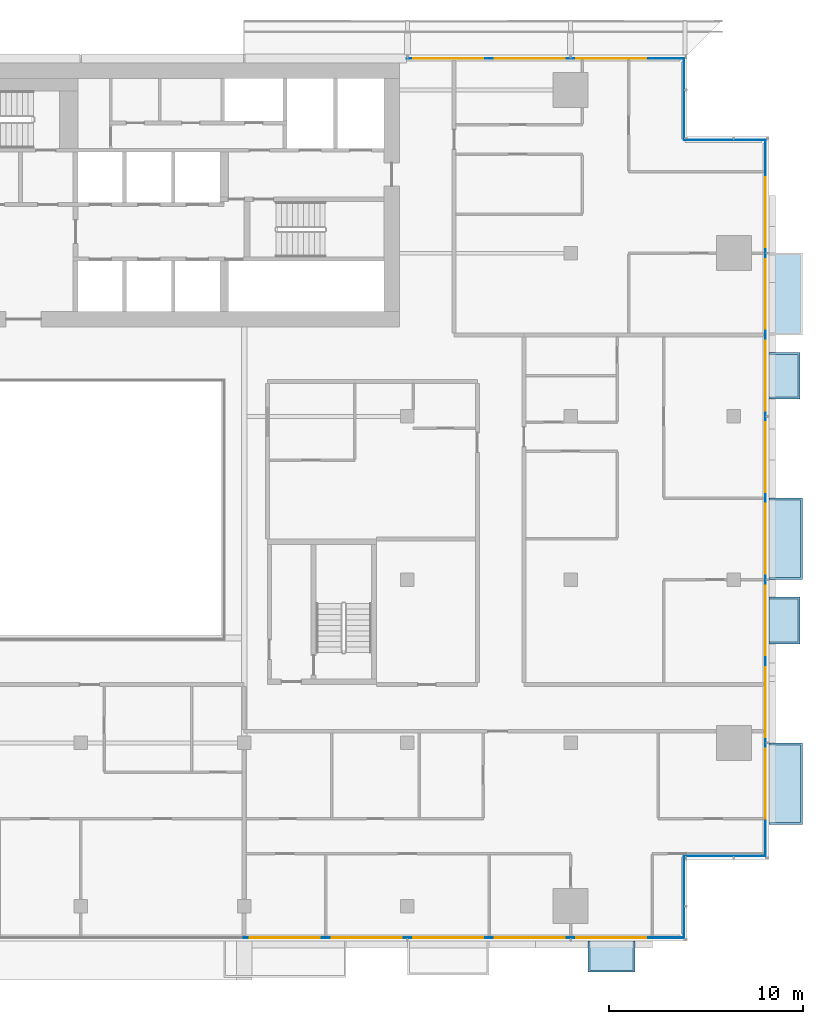
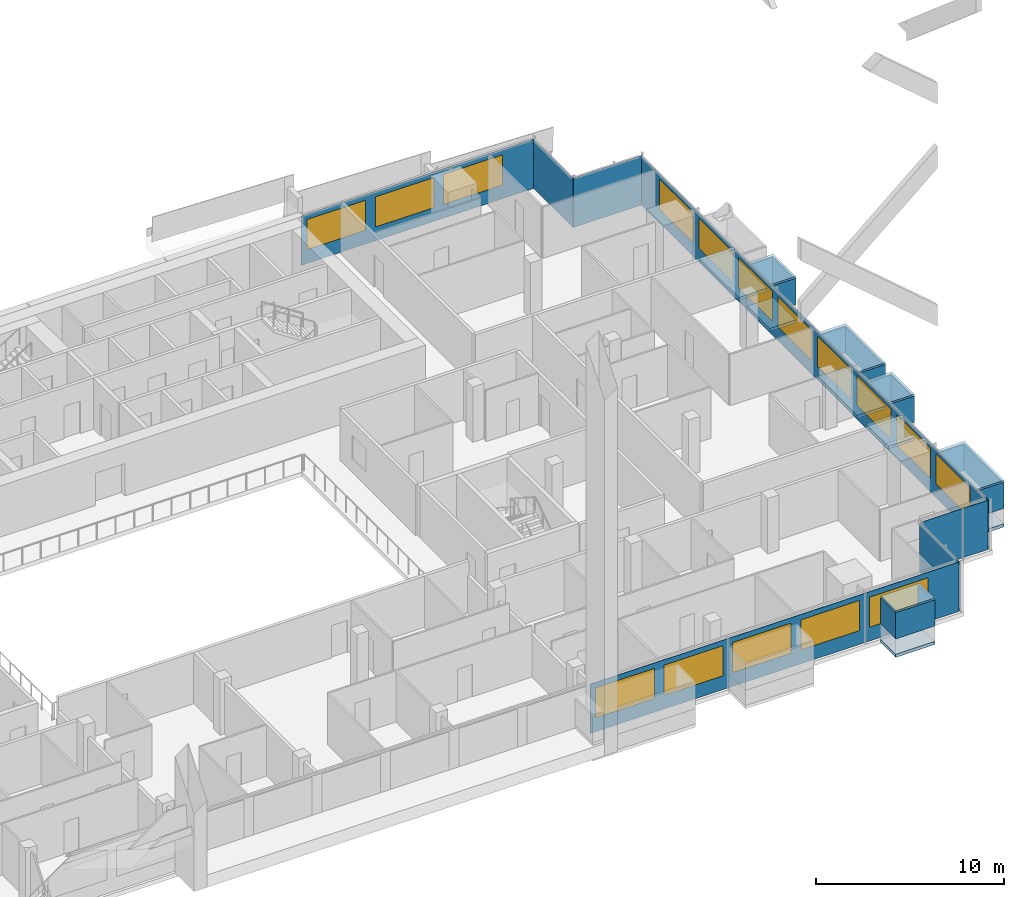
# One storey, part 16 of 31: 17 plates, 16 windows, 6 slabs, 16 openings, 7 elements without a shape of their own.
"""IFC4 building model written with IfcOpenShell, lengths in metres."""

from ifc_helpers import new_model, si_unit, direction, frame, frame_2d, origin, place, context, subcontext, project, spatial, polyline, rectangle, outline, extrude, material, layer, layer_set, type_object, element, fill, aggregate, save


model = new_model("IFC4")

# Units and contexts
model_context = context("Model", 3, precision=1e-05, world=origin(), true_north=direction((0.0, 1.0)))
body_context = subcontext(model_context, "Body", "Model", "MODEL_VIEW")
ifc_project = project(units=[si_unit("LENGTHUNIT", "METRE"), si_unit("AREAUNIT", "SQUARE_METRE"), si_unit("VOLUMEUNIT", "CUBIC_METRE"), si_unit("PLANEANGLEUNIT", "RADIAN"), si_unit("MASSUNIT", "GRAM", prefix="KILO")], contexts=[model_context])

# Site, building, storey
site_placement = place(None, origin())
site = spatial("IfcSite", under=ifc_project, at=site_placement, CompositionType="ELEMENT")
building_placement = place(site_placement, origin())
building = spatial("IfcBuilding", under=site, at=building_placement, Name="Saffron Gate Tower", CompositionType="ELEMENT")
storey_placement = place(building_placement, frame((0.0, 0.0, 147.449951171875)))
storey = spatial("IfcBuildingStorey", under=building, at=storey_placement, Name="L35", CompositionType="ELEMENT", Elevation=147.449951171875)

# Curtain wall, plate, openings, windows
ifc_material_1 = material(Name="Aluminium, bronze anodised", Category="aluminium")
curtain_wall_type_1 = type_object("IfcCurtainWallType", Name="CWS1 curtain wall front facade", PredefinedType="NOTDEFINED", material=ifc_material_1)
curtain_wall_1_placement = place(storey_placement, origin())
curtain_wall_1 = element("IfcCurtainWall", 1, at=curtain_wall_1_placement, inside=storey, type_object=curtain_wall_type_1, Name="CWS1 run 1", PredefinedType="NOTDEFINED")
ifc_material_2 = material(Name="Fritted bronze-tinted laminated glass", Category="glass")
ifc_layer_1 = layer(ifc_material_2, 0.028076171875)
ifc_layer_set_1 = layer_set([ifc_layer_1], Name="CWS1 fixed glass")
plate_type_1 = type_object("IfcPlateType", Name="CWS1 fixed glass", PredefinedType="CURTAIN_PANEL", material=ifc_layer_set_1)
plate_1_placement = place(storey_placement, frame((100.169921875, 30.174072265625, 0.0), z_axis=(0.0, 0.0, 1.0), x_axis=(1.0, 0.0, 0.0)))
plate_1 = element("IfcPlate", 2, at=plate_1_placement, type_object=plate_type_1, Name="CWS1 glass panel", PredefinedType="CURTAIN_PANEL", context=body_context, shape_type="SweptSolid", body=[
    extrude(rectangle(XDim=22.64208984375, YDim=0.028076171875, at=frame_2d((11.321044921875, 0.0))), origin(), (0.0, 0.0, 1.0), 3.199951171875),
])
opening_1_placement = place(plate_1_placement, frame((0.330078125, 0.0, 0.89990234375)))
opening_1 = element("IfcOpeningElement", 3, at=opening_1_placement, cuts=plate_1, Name="Opening W1", PredefinedType="OPENING", context=body_context, shape_type="SweptSolid", body=[
    extrude(rectangle(XDim=3.60009765625, YDim=1.949951171875, at=frame_2d((1.800048828125, 0.97509765625))), frame((0.0, 0.02392578125, 0.0), z_axis=(0.0, -1.0, 0.0), x_axis=(1.0, 0.0, 0.0)), (0.0, 0.0, 1.0), 0.048095703125),
])
opening_2_placement = place(plate_1_placement, frame((4.530029296875, 0.0, 0.89990234375)))
opening_2 = element("IfcOpeningElement", 4, at=opening_2_placement, cuts=plate_1, Name="Opening W1", PredefinedType="OPENING", context=body_context, shape_type="SweptSolid", body=[
    extrude(rectangle(XDim=3.60009765625, YDim=1.949951171875, at=frame_2d((1.800048828125, 0.97509765625))), frame((0.0, 0.02392578125, 0.0), z_axis=(0.0, -1.0, 0.0), x_axis=(1.0, 0.0, 0.0)), (0.0, 0.0, 1.0), 0.048095703125),
])
opening_3_placement = place(plate_1_placement, frame((8.72998046875, 0.0, 0.89990234375)))
opening_3 = element("IfcOpeningElement", 5, at=opening_3_placement, cuts=plate_1, Name="Opening W1", PredefinedType="OPENING", context=body_context, shape_type="SweptSolid", body=[
    extrude(rectangle(XDim=3.60009765625, YDim=1.949951171875, at=frame_2d((1.800048828125, 0.97509765625))), frame((0.0, 0.02392578125, 0.0), z_axis=(0.0, -1.0, 0.0), x_axis=(1.0, 0.0, 0.0)), (0.0, 0.0, 1.0), 0.048095703125),
])
opening_4_placement = place(plate_1_placement, frame((12.929931640625, 0.0, 0.89990234375)))
opening_4 = element("IfcOpeningElement", 6, at=opening_4_placement, cuts=plate_1, Name="Opening W1", PredefinedType="OPENING", context=body_context, shape_type="SweptSolid", body=[
    extrude(rectangle(XDim=3.60009765625, YDim=1.949951171875, at=frame_2d((1.800048828125, 0.97509765625))), frame((0.0, 0.02392578125, 0.0), z_axis=(0.0, -1.0, 0.0), x_axis=(1.0, 0.0, 0.0)), (0.0, 0.0, 1.0), 0.048095703125),
])
opening_5_placement = place(plate_1_placement, frame((17.1298828125, 0.0, 0.89990234375)))
opening_5 = element("IfcOpeningElement", 7, at=opening_5_placement, cuts=plate_1, Name="Opening W1", PredefinedType="OPENING", context=body_context, shape_type="SweptSolid", body=[
    extrude(rectangle(XDim=3.60009765625, YDim=1.949951171875, at=frame_2d((1.800048828125, 0.97509765625))), frame((0.0, 0.02392578125, 0.0), z_axis=(0.0, -1.0, 0.0), x_axis=(1.0, 0.0, 0.0)), (0.0, 0.0, 1.0), 0.048095703125),
])
ifc_material_3 = material(Name="Fritted bronze-tinted laminated glass in bronze frame", Category="glass")
ifc_layer_2 = layer(ifc_material_3, 0.06005859375)
ifc_layer_set_2 = layer_set([ifc_layer_2], Name="W1 operable panel 3600x1950")
window_type = type_object("IfcWindowType", Name="W1 operable panel 3600x1950", PartitioningType="DOUBLE_PANEL_HORIZONTAL", PredefinedType="WINDOW", material=ifc_layer_set_2)
window_1_placement = place(opening_1_placement, origin())
window_1 = element("IfcWindow", 8, at=window_1_placement, type_object=window_type, Name="W1 operable panel", OverallHeight=1.949951171875, OverallWidth=3.60009765625, PartitioningType="SINGLE_PANEL", PredefinedType="WINDOW", context=body_context, shape_type="SweptSolid", body=[
    extrude(rectangle(XDim=3.60009765625, YDim=1.949951171875, at=frame_2d((1.800048828125, 0.97509765625))), frame((0.0, 0.013671875, 0.0), z_axis=(0.0, -1.0, 0.0), x_axis=(1.0, 0.0, 0.0)), (0.0, 0.0, 1.0), 0.027587890625),
])
fill(opening_1, window_1)
window_2_placement = place(opening_2_placement, origin())
window_2 = element("IfcWindow", 9, at=window_2_placement, type_object=window_type, Name="W1 operable panel", OverallHeight=1.949951171875, OverallWidth=3.60009765625, PartitioningType="SINGLE_PANEL", PredefinedType="WINDOW", context=body_context, shape_type="SweptSolid", body=[
    extrude(rectangle(XDim=3.60009765625, YDim=1.949951171875, at=frame_2d((1.800048828125, 0.97509765625))), frame((0.0, 0.013671875, 0.0), z_axis=(0.0, -1.0, 0.0), x_axis=(1.0, 0.0, 0.0)), (0.0, 0.0, 1.0), 0.027587890625),
])
fill(opening_2, window_2)
window_3_placement = place(opening_3_placement, origin())
window_3 = element("IfcWindow", 10, at=window_3_placement, type_object=window_type, Name="W1 operable panel", OverallHeight=1.949951171875, OverallWidth=3.60009765625, PartitioningType="SINGLE_PANEL", PredefinedType="WINDOW", context=body_context, shape_type="SweptSolid", body=[
    extrude(rectangle(XDim=3.60009765625, YDim=1.949951171875, at=frame_2d((1.800048828125, 0.97509765625))), frame((0.0, 0.013671875, 0.0), z_axis=(0.0, -1.0, 0.0), x_axis=(1.0, 0.0, 0.0)), (0.0, 0.0, 1.0), 0.027587890625),
])
fill(opening_3, window_3)
window_4_placement = place(opening_4_placement, origin())
window_4 = element("IfcWindow", 11, at=window_4_placement, type_object=window_type, Name="W1 operable panel", OverallHeight=1.949951171875, OverallWidth=3.60009765625, PartitioningType="SINGLE_PANEL", PredefinedType="WINDOW", context=body_context, shape_type="SweptSolid", body=[
    extrude(rectangle(XDim=3.60009765625, YDim=1.949951171875, at=frame_2d((1.800048828125, 0.97509765625))), frame((0.0, 0.013671875, 0.0), z_axis=(0.0, -1.0, 0.0), x_axis=(1.0, 0.0, 0.0)), (0.0, 0.0, 1.0), 0.027587890625),
])
fill(opening_4, window_4)
window_5_placement = place(opening_5_placement, origin())
window_5 = element("IfcWindow", 12, at=window_5_placement, type_object=window_type, Name="W1 operable panel", OverallHeight=1.949951171875, OverallWidth=3.60009765625, PartitioningType="SINGLE_PANEL", PredefinedType="WINDOW", context=body_context, shape_type="SweptSolid", body=[
    extrude(rectangle(XDim=3.60009765625, YDim=1.949951171875, at=frame_2d((1.800048828125, 0.97509765625))), frame((0.0, 0.013671875, 0.0), z_axis=(0.0, -1.0, 0.0), x_axis=(1.0, 0.0, 0.0)), (0.0, 0.0, 1.0), 0.027587890625),
])
fill(opening_5, window_5)
aggregate(curtain_wall_1, [plate_1, window_1, window_2, window_3, window_4, window_5])

curtain_wall_type_2 = type_object("IfcCurtainWallType", Name="CWS2 curtain wall side facades", PredefinedType="NOTDEFINED", material=ifc_material_1)
curtain_wall_2_placement = place(storey_placement, origin())
curtain_wall_2 = element("IfcCurtainWall", 13, at=curtain_wall_2_placement, inside=storey, type_object=curtain_wall_type_2, Name="CWS2 run 4", PredefinedType="NOTDEFINED")
ifc_layer_3 = layer(ifc_material_2, 0.028076171875)
ifc_layer_set_3 = layer_set([ifc_layer_3], Name="CWS2 fixed glass")
plate_type_2 = type_object("IfcPlateType", Name="CWS2 fixed glass", PredefinedType="CURTAIN_PANEL", material=ifc_layer_set_3)
plate_2_placement = place(storey_placement, frame((127.02587890625, 34.387939453125, 0.0), z_axis=(0.0, 0.0, 1.0), x_axis=(0.0, 1.0, 0.0)))
plate_2 = element("IfcPlate", 14, at=plate_2_placement, type_object=plate_type_2, Name="CWS2 glass panel", PredefinedType="CURTAIN_PANEL", context=body_context, shape_type="SweptSolid", body=[
    extrude(rectangle(XDim=36.823974609375, YDim=0.028076171875, at=frame_2d((18.412109375, 0.0))), origin(), (0.0, 0.0, 1.0), 3.199951171875),
])
opening_6_placement = place(plate_2_placement, frame((1.912109375, 0.0, 0.89990234375)))
opening_6 = element("IfcOpeningElement", 15, at=opening_6_placement, cuts=plate_2, Name="Opening W1", PredefinedType="OPENING", context=body_context, shape_type="SweptSolid", body=[
    extrude(rectangle(XDim=3.60009765625, YDim=1.949951171875, at=frame_2d((1.800048828125, 0.97509765625))), frame((0.0, 0.02392578125, 0.0), z_axis=(0.0, -1.0, 0.0), x_axis=(1.0, 0.0, 0.0)), (0.0, 0.0, 1.0), 0.048095703125),
])
opening_7_placement = place(plate_2_placement, frame((6.112060546875, 0.0, 0.89990234375)))
opening_7 = element("IfcOpeningElement", 16, at=opening_7_placement, cuts=plate_2, Name="Opening W1", PredefinedType="OPENING", context=body_context, shape_type="SweptSolid", body=[
    extrude(rectangle(XDim=3.60009765625, YDim=1.949951171875, at=frame_2d((1.800048828125, 0.97509765625))), frame((0.0, 0.02392578125, 0.0), z_axis=(0.0, -1.0, 0.0), x_axis=(1.0, 0.0, 0.0)), (0.0, 0.0, 1.0), 0.048095703125),
])
opening_8_placement = place(plate_2_placement, frame((10.31201171875, 0.0, 0.89990234375)))
opening_8 = element("IfcOpeningElement", 17, at=opening_8_placement, cuts=plate_2, Name="Opening W1", PredefinedType="OPENING", context=body_context, shape_type="SweptSolid", body=[
    extrude(rectangle(XDim=3.60009765625, YDim=1.949951171875, at=frame_2d((1.800048828125, 0.97509765625))), frame((0.0, 0.02392578125, 0.0), z_axis=(0.0, -1.0, 0.0), x_axis=(1.0, 0.0, 0.0)), (0.0, 0.0, 1.0), 0.048095703125),
])
opening_9_placement = place(plate_2_placement, frame((14.511962890625, 0.0, 0.89990234375)))
opening_9 = element("IfcOpeningElement", 18, at=opening_9_placement, cuts=plate_2, Name="Opening W1", PredefinedType="OPENING", context=body_context, shape_type="SweptSolid", body=[
    extrude(rectangle(XDim=3.60009765625, YDim=1.949951171875, at=frame_2d((1.800048828125, 0.97509765625))), frame((0.0, 0.02392578125, 0.0), z_axis=(0.0, -1.0, 0.0), x_axis=(1.0, 0.0, 0.0)), (0.0, 0.0, 1.0), 0.048095703125),
])
opening_10_placement = place(plate_2_placement, frame((18.7119140625, 0.0, 0.89990234375)))
opening_10 = element("IfcOpeningElement", 19, at=opening_10_placement, cuts=plate_2, Name="Opening W1", PredefinedType="OPENING", context=body_context, shape_type="SweptSolid", body=[
    extrude(rectangle(XDim=3.60009765625, YDim=1.949951171875, at=frame_2d((1.800048828125, 0.97509765625))), frame((0.0, 0.02392578125, 0.0), z_axis=(0.0, -1.0, 0.0), x_axis=(1.0, 0.0, 0.0)), (0.0, 0.0, 1.0), 0.048095703125),
])
opening_11_placement = place(plate_2_placement, frame((22.912109375, 0.0, 0.89990234375)))
opening_11 = element("IfcOpeningElement", 20, at=opening_11_placement, cuts=plate_2, Name="Opening W1", PredefinedType="OPENING", context=body_context, shape_type="SweptSolid", body=[
    extrude(rectangle(XDim=3.60009765625, YDim=1.949951171875, at=frame_2d((1.800048828125, 0.97509765625))), frame((0.0, 0.02392578125, 0.0), z_axis=(0.0, -1.0, 0.0), x_axis=(1.0, 0.0, 0.0)), (0.0, 0.0, 1.0), 0.048095703125),
])
opening_12_placement = place(plate_2_placement, frame((27.112060546875, 0.0, 0.89990234375)))
opening_12 = element("IfcOpeningElement", 21, at=opening_12_placement, cuts=plate_2, Name="Opening W1", PredefinedType="OPENING", context=body_context, shape_type="SweptSolid", body=[
    extrude(rectangle(XDim=3.60009765625, YDim=1.949951171875, at=frame_2d((1.800048828125, 0.97509765625))), frame((0.0, 0.02392578125, 0.0), z_axis=(0.0, -1.0, 0.0), x_axis=(1.0, 0.0, 0.0)), (0.0, 0.0, 1.0), 0.048095703125),
])
opening_13_placement = place(plate_2_placement, frame((31.31201171875, 0.0, 0.89990234375)))
opening_13 = element("IfcOpeningElement", 22, at=opening_13_placement, cuts=plate_2, Name="Opening W1", PredefinedType="OPENING", context=body_context, shape_type="SweptSolid", body=[
    extrude(rectangle(XDim=3.60009765625, YDim=1.949951171875, at=frame_2d((1.800048828125, 0.97509765625))), frame((0.0, 0.02392578125, 0.0), z_axis=(0.0, -1.0, 0.0), x_axis=(1.0, 0.0, 0.0)), (0.0, 0.0, 1.0), 0.048095703125),
])
window_6_placement = place(opening_6_placement, origin())
window_6 = element("IfcWindow", 23, at=window_6_placement, type_object=window_type, Name="W1 operable panel", OverallHeight=1.949951171875, OverallWidth=3.60009765625, PartitioningType="SINGLE_PANEL", PredefinedType="WINDOW", context=body_context, shape_type="SweptSolid", body=[
    extrude(rectangle(XDim=3.60009765625, YDim=1.949951171875, at=frame_2d((1.800048828125, 0.97509765625))), frame((0.0, 0.013671875, 0.0), z_axis=(0.0, -1.0, 0.0), x_axis=(1.0, 0.0, 0.0)), (0.0, 0.0, 1.0), 0.027587890625),
])
fill(opening_6, window_6)
window_7_placement = place(opening_7_placement, origin())
window_7 = element("IfcWindow", 24, at=window_7_placement, type_object=window_type, Name="W1 operable panel", OverallHeight=1.949951171875, OverallWidth=3.60009765625, PartitioningType="SINGLE_PANEL", PredefinedType="WINDOW", context=body_context, shape_type="SweptSolid", body=[
    extrude(rectangle(XDim=3.60009765625, YDim=1.949951171875, at=frame_2d((1.800048828125, 0.97509765625))), frame((0.0, 0.013671875, 0.0), z_axis=(0.0, -1.0, 0.0), x_axis=(1.0, 0.0, 0.0)), (0.0, 0.0, 1.0), 0.027587890625),
])
fill(opening_7, window_7)
window_8_placement = place(opening_8_placement, origin())
window_8 = element("IfcWindow", 25, at=window_8_placement, type_object=window_type, Name="W1 operable panel", OverallHeight=1.949951171875, OverallWidth=3.60009765625, PartitioningType="SINGLE_PANEL", PredefinedType="WINDOW", context=body_context, shape_type="SweptSolid", body=[
    extrude(rectangle(XDim=3.60009765625, YDim=1.949951171875, at=frame_2d((1.800048828125, 0.97509765625))), frame((0.0, 0.013671875, 0.0), z_axis=(0.0, -1.0, 0.0), x_axis=(1.0, 0.0, 0.0)), (0.0, 0.0, 1.0), 0.027587890625),
])
fill(opening_8, window_8)
window_9_placement = place(opening_9_placement, origin())
window_9 = element("IfcWindow", 26, at=window_9_placement, type_object=window_type, Name="W1 operable panel", OverallHeight=1.949951171875, OverallWidth=3.60009765625, PartitioningType="SINGLE_PANEL", PredefinedType="WINDOW", context=body_context, shape_type="SweptSolid", body=[
    extrude(rectangle(XDim=3.60009765625, YDim=1.949951171875, at=frame_2d((1.800048828125, 0.97509765625))), frame((0.0, 0.013671875, 0.0), z_axis=(0.0, -1.0, 0.0), x_axis=(1.0, 0.0, 0.0)), (0.0, 0.0, 1.0), 0.027587890625),
])
fill(opening_9, window_9)
window_10_placement = place(opening_10_placement, origin())
window_10 = element("IfcWindow", 27, at=window_10_placement, type_object=window_type, Name="W1 operable panel", OverallHeight=1.949951171875, OverallWidth=3.60009765625, PartitioningType="SINGLE_PANEL", PredefinedType="WINDOW", context=body_context, shape_type="SweptSolid", body=[
    extrude(rectangle(XDim=3.60009765625, YDim=1.949951171875, at=frame_2d((1.800048828125, 0.97509765625))), frame((0.0, 0.013671875, 0.0), z_axis=(0.0, -1.0, 0.0), x_axis=(1.0, 0.0, 0.0)), (0.0, 0.0, 1.0), 0.027587890625),
])
fill(opening_10, window_10)
window_11_placement = place(opening_11_placement, origin())
window_11 = element("IfcWindow", 28, at=window_11_placement, type_object=window_type, Name="W1 operable panel", OverallHeight=1.949951171875, OverallWidth=3.60009765625, PartitioningType="SINGLE_PANEL", PredefinedType="WINDOW", context=body_context, shape_type="SweptSolid", body=[
    extrude(rectangle(XDim=3.60009765625, YDim=1.949951171875, at=frame_2d((1.800048828125, 0.97509765625))), frame((0.0, 0.013671875, 0.0), z_axis=(0.0, -1.0, 0.0), x_axis=(1.0, 0.0, 0.0)), (0.0, 0.0, 1.0), 0.027587890625),
])
fill(opening_11, window_11)
window_12_placement = place(opening_12_placement, origin())
window_12 = element("IfcWindow", 29, at=window_12_placement, type_object=window_type, Name="W1 operable panel", OverallHeight=1.949951171875, OverallWidth=3.60009765625, PartitioningType="SINGLE_PANEL", PredefinedType="WINDOW", context=body_context, shape_type="SweptSolid", body=[
    extrude(rectangle(XDim=3.60009765625, YDim=1.949951171875, at=frame_2d((1.800048828125, 0.97509765625))), frame((0.0, 0.013671875, 0.0), z_axis=(0.0, -1.0, 0.0), x_axis=(1.0, 0.0, 0.0)), (0.0, 0.0, 1.0), 0.027587890625),
])
fill(opening_12, window_12)
window_13_placement = place(opening_13_placement, origin())
window_13 = element("IfcWindow", 30, at=window_13_placement, type_object=window_type, Name="W1 operable panel", OverallHeight=1.949951171875, OverallWidth=3.60009765625, PartitioningType="SINGLE_PANEL", PredefinedType="WINDOW", context=body_context, shape_type="SweptSolid", body=[
    extrude(rectangle(XDim=3.60009765625, YDim=1.949951171875, at=frame_2d((1.800048828125, 0.97509765625))), frame((0.0, 0.013671875, 0.0), z_axis=(0.0, -1.0, 0.0), x_axis=(1.0, 0.0, 0.0)), (0.0, 0.0, 1.0), 0.027587890625),
])
fill(opening_13, window_13)
aggregate(curtain_wall_2, [plate_2, window_6, window_7, window_8, window_9, window_10, window_11, window_12, window_13])

curtain_wall_type_3 = type_object("IfcCurtainWallType", Name="CWS3 curtain wall rear facade", PredefinedType="NOTDEFINED", material=ifc_material_1)
curtain_wall_3_placement = place(storey_placement, origin())
curtain_wall_3 = element("IfcCurtainWall", 31, at=curtain_wall_3_placement, inside=storey, type_object=curtain_wall_type_3, Name="CWS3 run 7", PredefinedType="NOTDEFINED")
ifc_material_4 = material(Name="Fritted grey-tinted laminated glass", Category="glass")
ifc_layer_4 = layer(ifc_material_4, 0.028076171875)
ifc_layer_set_4 = layer_set([ifc_layer_4], Name="CWS3 fixed glass")
plate_type_3 = type_object("IfcPlateType", Name="CWS3 fixed glass", PredefinedType="CURTAIN_PANEL", material=ifc_layer_set_4)
plate_3_placement = place(storey_placement, frame((122.81201171875, 75.426025390625, 0.0), z_axis=(0.0, 0.0, 1.0), x_axis=(-1.0, 0.0, 0.0)))
plate_3 = element("IfcPlate", 32, at=plate_3_placement, type_object=plate_type_3, Name="CWS3 glass panel", PredefinedType="CURTAIN_PANEL", context=body_context, shape_type="SweptSolid", body=[
    extrude(rectangle(XDim=14.2470703125, YDim=0.028076171875, at=frame_2d((7.12353515625, 0.0))), origin(), (0.0, 0.0, 1.0), 3.199951171875),
])
opening_14_placement = place(plate_3_placement, frame((1.912109375, 0.0, 0.89990234375)))
opening_14 = element("IfcOpeningElement", 33, at=opening_14_placement, cuts=plate_3, Name="Opening W1", PredefinedType="OPENING", context=body_context, shape_type="SweptSolid", body=[
    extrude(rectangle(XDim=3.60009765625, YDim=1.949951171875, at=frame_2d((1.800048828125, 0.97509765625))), frame((0.0, 0.02392578125, 0.0), z_axis=(0.0, -1.0, 0.0), x_axis=(1.0, 0.0, 0.0)), (0.0, 0.0, 1.0), 0.048095703125),
])
opening_15_placement = place(plate_3_placement, frame((6.112060546875, 0.0, 0.89990234375)))
opening_15 = element("IfcOpeningElement", 34, at=opening_15_placement, cuts=plate_3, Name="Opening W1", PredefinedType="OPENING", context=body_context, shape_type="SweptSolid", body=[
    extrude(rectangle(XDim=3.60009765625, YDim=1.949951171875, at=frame_2d((1.800048828125, 0.97509765625))), frame((0.0, 0.02392578125, 0.0), z_axis=(0.0, -1.0, 0.0), x_axis=(1.0, 0.0, 0.0)), (0.0, 0.0, 1.0), 0.048095703125),
])
opening_16_placement = place(plate_3_placement, frame((10.31201171875, 0.0, 0.89990234375)))
opening_16 = element("IfcOpeningElement", 35, at=opening_16_placement, cuts=plate_3, Name="Opening W1", PredefinedType="OPENING", context=body_context, shape_type="SweptSolid", body=[
    extrude(rectangle(XDim=3.60009765625, YDim=1.949951171875, at=frame_2d((1.800048828125, 0.97509765625))), frame((0.0, 0.02392578125, 0.0), z_axis=(0.0, -1.0, 0.0), x_axis=(1.0, 0.0, 0.0)), (0.0, 0.0, 1.0), 0.048095703125),
])
window_14_placement = place(opening_14_placement, origin())
window_14 = element("IfcWindow", 36, at=window_14_placement, type_object=window_type, Name="W1 operable panel", OverallHeight=1.949951171875, OverallWidth=3.60009765625, PartitioningType="SINGLE_PANEL", PredefinedType="WINDOW", context=body_context, shape_type="SweptSolid", body=[
    extrude(rectangle(XDim=3.60009765625, YDim=1.949951171875, at=frame_2d((1.800048828125, 0.97509765625))), frame((0.0, 0.013671875, 0.0), z_axis=(0.0, -1.0, 0.0), x_axis=(1.0, 0.0, 0.0)), (0.0, 0.0, 1.0), 0.027587890625),
])
fill(opening_14, window_14)
window_15_placement = place(opening_15_placement, origin())
window_15 = element("IfcWindow", 37, at=window_15_placement, type_object=window_type, Name="W1 operable panel", OverallHeight=1.949951171875, OverallWidth=3.60009765625, PartitioningType="SINGLE_PANEL", PredefinedType="WINDOW", context=body_context, shape_type="SweptSolid", body=[
    extrude(rectangle(XDim=3.60009765625, YDim=1.949951171875, at=frame_2d((1.800048828125, 0.97509765625))), frame((0.0, 0.013671875, 0.0), z_axis=(0.0, -1.0, 0.0), x_axis=(1.0, 0.0, 0.0)), (0.0, 0.0, 1.0), 0.027587890625),
])
fill(opening_15, window_15)
window_16_placement = place(opening_16_placement, origin())
window_16 = element("IfcWindow", 38, at=window_16_placement, type_object=window_type, Name="W1 operable panel", OverallHeight=1.949951171875, OverallWidth=3.60009765625, PartitioningType="SINGLE_PANEL", PredefinedType="WINDOW", context=body_context, shape_type="SweptSolid", body=[
    extrude(rectangle(XDim=3.60009765625, YDim=1.949951171875, at=frame_2d((1.800048828125, 0.97509765625))), frame((0.0, 0.013671875, 0.0), z_axis=(0.0, -1.0, 0.0), x_axis=(1.0, 0.0, 0.0)), (0.0, 0.0, 1.0), 0.027587890625),
])
fill(opening_16, window_16)
aggregate(curtain_wall_3, [plate_3, window_14, window_15, window_16])

# Curtain wall, plate
curtain_wall_type_4 = type_object("IfcCurtainWallType", Name="CWS4 curtain wall corner returns", PredefinedType="NOTDEFINED", material=ifc_material_1)
curtain_wall_4_placement = place(storey_placement, origin())
curtain_wall_4 = element("IfcCurtainWall", 39, at=curtain_wall_4_placement, inside=storey, type_object=curtain_wall_type_4, Name="CWS4 run 2", PredefinedType="NOTDEFINED")
ifc_layer_5 = layer(ifc_material_2, 0.028076171875)
ifc_layer_set_5 = layer_set([ifc_layer_5], Name="CWS4 fixed glass")
plate_type_4 = type_object("IfcPlateType", Name="CWS4 fixed glass", PredefinedType="CURTAIN_PANEL", material=ifc_layer_set_5)
plate_4_placement = place(storey_placement, frame((122.825927734375, 30.18798828125, 0.0), z_axis=(0.0, 0.0, 1.0), x_axis=(0.0, 1.0, 0.0)))
plate_4 = element("IfcPlate", 40, at=plate_4_placement, type_object=plate_type_4, Name="CWS4 glass panel", PredefinedType="CURTAIN_PANEL", context=body_context, shape_type="SweptSolid", body=[
    extrude(rectangle(XDim=4.172119140625, YDim=0.028076171875, at=frame_2d((2.0859375, 0.0))), origin(), (0.0, 0.0, 1.0), 3.199951171875),
])
aggregate(curtain_wall_4, [plate_4])

curtain_wall_5_placement = place(storey_placement, origin())
curtain_wall_5 = element("IfcCurtainWall", 41, at=curtain_wall_5_placement, inside=storey, type_object=curtain_wall_type_4, Name="CWS4 run 3", PredefinedType="NOTDEFINED")
plate_5_placement = place(storey_placement, frame((122.840087890625, 34.3740234375, 0.0), z_axis=(0.0, 0.0, 1.0), x_axis=(1.0, 0.0, 0.0)))
plate_5 = element("IfcPlate", 42, at=plate_5_placement, type_object=plate_type_4, Name="CWS4 glass panel", PredefinedType="CURTAIN_PANEL", context=body_context, shape_type="SweptSolid", body=[
    extrude(rectangle(XDim=4.171875, YDim=0.028076171875, at=frame_2d((2.0859375, 0.0))), origin(), (0.0, 0.0, 1.0), 3.199951171875),
])
aggregate(curtain_wall_5, [plate_5])

curtain_wall_6_placement = place(storey_placement, origin())
curtain_wall_6 = element("IfcCurtainWall", 43, at=curtain_wall_6_placement, inside=storey, type_object=curtain_wall_type_4, Name="CWS4 run 5", PredefinedType="NOTDEFINED")
plate_6_placement = place(storey_placement, frame((127.011962890625, 71.22607421875, 0.0), z_axis=(0.0, 0.0, 1.0), x_axis=(-1.0, 0.0, 0.0)))
plate_6 = element("IfcPlate", 44, at=plate_6_placement, type_object=plate_type_4, Name="CWS4 glass panel", PredefinedType="CURTAIN_PANEL", context=body_context, shape_type="SweptSolid", body=[
    extrude(rectangle(XDim=4.171875, YDim=0.028076171875, at=frame_2d((2.0859375, 0.0))), origin(), (0.0, 0.0, 1.0), 3.199951171875),
])
aggregate(curtain_wall_6, [plate_6])

curtain_wall_7_placement = place(storey_placement, origin())
curtain_wall_7 = element("IfcCurtainWall", 45, at=curtain_wall_7_placement, inside=storey, type_object=curtain_wall_type_4, Name="CWS4 run 6", PredefinedType="NOTDEFINED")
plate_7_placement = place(storey_placement, frame((122.825927734375, 71.239990234375, 0.0), z_axis=(0.0, 0.0, 1.0), x_axis=(0.0, 1.0, 0.0)))
plate_7 = element("IfcPlate", 46, at=plate_7_placement, type_object=plate_type_4, Name="CWS4 glass panel", PredefinedType="CURTAIN_PANEL", context=body_context, shape_type="SweptSolid", body=[
    extrude(rectangle(XDim=4.172119140625, YDim=0.028076171875, at=frame_2d((2.0859375, 0.0))), origin(), (0.0, 0.0, 1.0), 3.199951171875),
])
aggregate(curtain_wall_7, [plate_7])

# Slabs
ifc_material_5 = material(Name="Timber deck on bronze frame", Category="wood")
ifc_layer_6 = layer(ifc_material_5, 0.199951171875)
ifc_layer_set_6 = layer_set([ifc_layer_6], Name="WB1 box floor")
slab_type = type_object("IfcSlabType", Name="WB1 box floor", PredefinedType="FLOOR", material=ifc_layer_set_6)
slab_1_placement = place(storey_placement, frame((0.0, 0.0, -0.199951171875)))
element("IfcSlab", 47, at=slab_1_placement, inside=storey, type_object=slab_type, Name="WINDOW BOX floor", PredefinedType="FLOOR", context=body_context, shape_type="SweptSolid", body=[
    extrude(outline(polyline([(117.89990234375, 30.0), (120.300048828125, 30.0), (120.300048828125, 28.39990234375), (117.89990234375, 28.39990234375), (117.89990234375, 30.0)])), origin(), (0.0, 0.0, 1.0), 0.199951171875),
])
slab_2_placement = place(storey_placement, frame((0.0, 0.0, -0.199951171875)))
element("IfcSlab", 48, at=slab_2_placement, inside=storey, type_object=slab_type, Name="WINDOW BOX floor", PredefinedType="FLOOR", context=body_context, shape_type="SweptSolid", body=[
    extrude(outline(polyline([(127.199951171875, 36.0), (127.199951171875, 40.199951171875), (128.93310546875, 40.199951171875), (128.93310546875, 36.0), (127.199951171875, 36.0)])), origin(), (0.0, 0.0, 1.0), 0.199951171875),
])
slab_3_placement = place(storey_placement, frame((0.0, 0.0, -0.199951171875)))
element("IfcSlab", 49, at=slab_3_placement, inside=storey, type_object=slab_type, Name="WINDOW BOX floor", PredefinedType="FLOOR", context=body_context, shape_type="SweptSolid", body=[
    extrude(outline(polyline([(127.199951171875, 45.300048828125), (127.199951171875, 47.699951171875), (128.800048828125, 47.699951171875), (128.800048828125, 45.300048828125), (127.199951171875, 45.300048828125)])), origin(), (0.0, 0.0, 1.0), 0.199951171875),
])
slab_4_placement = place(storey_placement, frame((0.0, 0.0, -0.199951171875)))
element("IfcSlab", 50, at=slab_4_placement, inside=storey, type_object=slab_type, Name="WINDOW BOX floor", PredefinedType="FLOOR", context=body_context, shape_type="SweptSolid", body=[
    extrude(outline(polyline([(127.199951171875, 48.60009765625), (127.199951171875, 52.800048828125), (128.93310546875, 52.800048828125), (128.93310546875, 48.60009765625), (127.199951171875, 48.60009765625)])), origin(), (0.0, 0.0, 1.0), 0.199951171875),
])
slab_5_placement = place(storey_placement, frame((0.0, 0.0, -0.199951171875)))
element("IfcSlab", 51, at=slab_5_placement, inside=storey, type_object=slab_type, Name="WINDOW BOX floor", PredefinedType="FLOOR", context=body_context, shape_type="SweptSolid", body=[
    extrude(outline(polyline([(127.199951171875, 57.89990234375), (127.199951171875, 60.300048828125), (128.800048828125, 60.300048828125), (128.800048828125, 57.89990234375), (127.199951171875, 57.89990234375)])), origin(), (0.0, 0.0, 1.0), 0.199951171875),
])
slab_6_placement = place(storey_placement, frame((0.0, 0.0, -0.199951171875)))
element("IfcSlab", 52, at=slab_6_placement, inside=storey, type_object=slab_type, Name="WINDOW BOX floor", PredefinedType="FLOOR", context=body_context, shape_type="SweptSolid", body=[
    extrude(outline(polyline([(127.199951171875, 61.199951171875), (127.199951171875, 65.39990234375), (128.93310546875, 65.39990234375), (128.93310546875, 61.199951171875), (127.199951171875, 61.199951171875)])), origin(), (0.0, 0.0, 1.0), 0.199951171875),
])

# Plates
ifc_layer_7 = layer(ifc_material_1, 0.1201171875)
ifc_layer_set_7 = layer_set([ifc_layer_7], Name="WB2 box roof")
plate_type_5 = type_object("IfcPlateType", Name="WB2 box roof", PredefinedType="SHEET", material=ifc_layer_set_7)
plate_8_placement = place(storey_placement, frame((0.0, 0.0, 2.699951171875)))
element("IfcPlate", 53, at=plate_8_placement, inside=storey, type_object=plate_type_5, Name="WINDOW BOX roof", PredefinedType="SHEET", context=body_context, shape_type="SweptSolid", body=[
    extrude(outline(polyline([(117.89990234375, 30.0), (120.300048828125, 30.0), (120.300048828125, 28.39990234375), (117.89990234375, 28.39990234375), (117.89990234375, 30.0)])), origin(), (0.0, 0.0, 1.0), 0.1201171875),
])
plate_9_placement = place(storey_placement, frame((0.0, 0.0, 2.699951171875)))
element("IfcPlate", 54, at=plate_9_placement, inside=storey, type_object=plate_type_5, Name="WINDOW BOX roof", PredefinedType="SHEET", context=body_context, shape_type="SweptSolid", body=[
    extrude(outline(polyline([(127.199951171875, 36.0), (127.199951171875, 40.199951171875), (128.93310546875, 40.199951171875), (128.93310546875, 36.0), (127.199951171875, 36.0)])), origin(), (0.0, 0.0, 1.0), 0.1201171875),
])
plate_10_placement = place(storey_placement, frame((0.0, 0.0, 2.699951171875)))
element("IfcPlate", 55, at=plate_10_placement, inside=storey, type_object=plate_type_5, Name="WINDOW BOX roof", PredefinedType="SHEET", context=body_context, shape_type="SweptSolid", body=[
    extrude(outline(polyline([(127.199951171875, 45.300048828125), (127.199951171875, 47.699951171875), (128.800048828125, 47.699951171875), (128.800048828125, 45.300048828125), (127.199951171875, 45.300048828125)])), origin(), (0.0, 0.0, 1.0), 0.1201171875),
])
plate_11_placement = place(storey_placement, frame((0.0, 0.0, 2.699951171875)))
element("IfcPlate", 56, at=plate_11_placement, inside=storey, type_object=plate_type_5, Name="WINDOW BOX roof", PredefinedType="SHEET", context=body_context, shape_type="SweptSolid", body=[
    extrude(outline(polyline([(127.199951171875, 48.60009765625), (127.199951171875, 52.800048828125), (128.93310546875, 52.800048828125), (128.93310546875, 48.60009765625), (127.199951171875, 48.60009765625)])), origin(), (0.0, 0.0, 1.0), 0.1201171875),
])
plate_12_placement = place(storey_placement, frame((0.0, 0.0, 2.699951171875)))
element("IfcPlate", 57, at=plate_12_placement, inside=storey, type_object=plate_type_5, Name="WINDOW BOX roof", PredefinedType="SHEET", context=body_context, shape_type="SweptSolid", body=[
    extrude(outline(polyline([(127.199951171875, 57.89990234375), (127.199951171875, 60.300048828125), (128.800048828125, 60.300048828125), (128.800048828125, 57.89990234375), (127.199951171875, 57.89990234375)])), origin(), (0.0, 0.0, 1.0), 0.1201171875),
])
ifc_material_6 = material(Name="Clear low-iron laminated glass", Category="glass")
ifc_layer_8 = layer(ifc_material_6, 0.10009765625)
ifc_layer_set_8 = layer_set([ifc_layer_8], Name="WB6 box glazing")
plate_type_6 = type_object("IfcPlateType", Name="WB6 box glazing", PredefinedType="SHEET", material=ifc_layer_set_8)
plate_13_placement = place(storey_placement, frame((0.0, 0.0, 1.0)))
element("IfcPlate", 58, at=plate_13_placement, inside=storey, type_object=plate_type_6, Name="WINDOW BOX glazing", PredefinedType="SHEET", context=body_context, shape_type="SweptSolid", body=[
    extrude(outline(polyline([(117.89990234375, 30.0), (118.0, 30.0), (118.0, 28.5), (120.199951171875, 28.5), (120.199951171875, 30.0), (120.300048828125, 30.0), (120.300048828125, 28.39990234375), (117.89990234375, 28.39990234375), (117.89990234375, 30.0)])), origin(), (0.0, 0.0, 1.0), 1.699951171875),
])
plate_14_placement = place(storey_placement, frame((0.0, 0.0, 1.0)))
element("IfcPlate", 59, at=plate_14_placement, inside=storey, type_object=plate_type_6, Name="WINDOW BOX glazing", PredefinedType="SHEET", context=body_context, shape_type="SweptSolid", body=[
    extrude(outline(polyline([(127.199951171875, 36.0), (127.199951171875, 36.10009765625), (128.8330078125, 36.10009765625), (128.8330078125, 40.10009765625), (127.199951171875, 40.10009765625), (127.199951171875, 40.199951171875), (128.93310546875, 40.199951171875), (128.93310546875, 36.0), (127.199951171875, 36.0)])), origin(), (0.0, 0.0, 1.0), 1.699951171875),
])
plate_15_placement = place(storey_placement, frame((0.0, 0.0, 1.0)))
element("IfcPlate", 60, at=plate_15_placement, inside=storey, type_object=plate_type_6, Name="WINDOW BOX glazing", PredefinedType="SHEET", context=body_context, shape_type="SweptSolid", body=[
    extrude(outline(polyline([(127.199951171875, 45.300048828125), (127.199951171875, 45.39990234375), (128.699951171875, 45.39990234375), (128.699951171875, 47.60009765625), (127.199951171875, 47.60009765625), (127.199951171875, 47.699951171875), (128.800048828125, 47.699951171875), (128.800048828125, 45.300048828125), (127.199951171875, 45.300048828125)])), origin(), (0.0, 0.0, 1.0), 1.699951171875),
])
plate_16_placement = place(storey_placement, frame((0.0, 0.0, 1.0)))
element("IfcPlate", 61, at=plate_16_placement, inside=storey, type_object=plate_type_6, Name="WINDOW BOX glazing", PredefinedType="SHEET", context=body_context, shape_type="SweptSolid", body=[
    extrude(outline(polyline([(127.199951171875, 48.60009765625), (127.199951171875, 48.699951171875), (128.8330078125, 48.699951171875), (128.8330078125, 52.699951171875), (127.199951171875, 52.699951171875), (127.199951171875, 52.800048828125), (128.93310546875, 52.800048828125), (128.93310546875, 48.60009765625), (127.199951171875, 48.60009765625)])), origin(), (0.0, 0.0, 1.0), 1.699951171875),
])
plate_17_placement = place(storey_placement, frame((0.0, 0.0, 1.0)))
element("IfcPlate", 62, at=plate_17_placement, inside=storey, type_object=plate_type_6, Name="WINDOW BOX glazing", PredefinedType="SHEET", context=body_context, shape_type="SweptSolid", body=[
    extrude(outline(polyline([(127.199951171875, 57.89990234375), (127.199951171875, 58.0), (128.699951171875, 58.0), (128.699951171875, 60.199951171875), (127.199951171875, 60.199951171875), (127.199951171875, 60.300048828125), (128.800048828125, 60.300048828125), (128.800048828125, 57.89990234375), (127.199951171875, 57.89990234375)])), origin(), (0.0, 0.0, 1.0), 1.699951171875),
])

save(model, "model.ifc")
